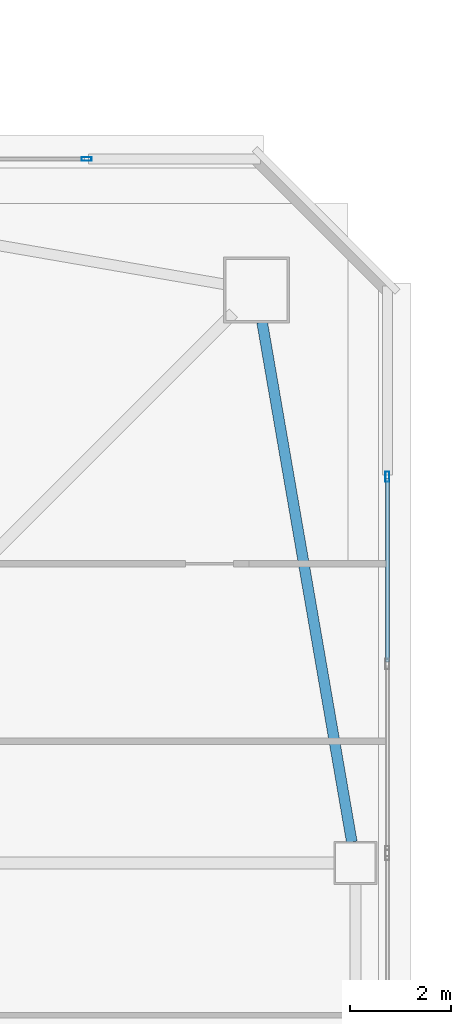
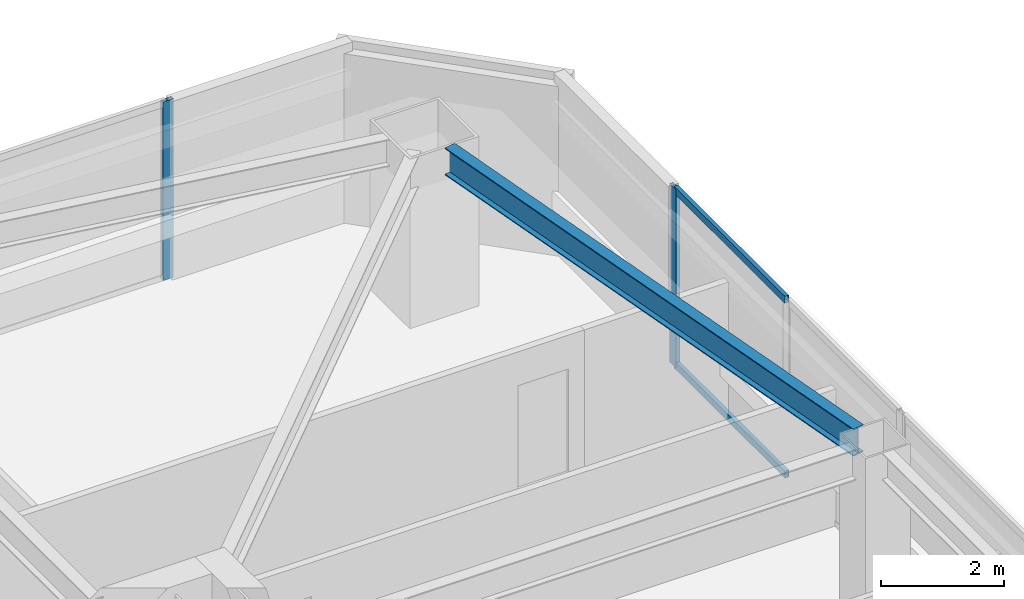
# One storey, part 16 of 44: 4 members, 1 beam, 2 elements without a shape of their own.
"""IFC4 building model written with IfcOpenShell, lengths in metres."""

from ifc_helpers import new_model, si_unit, direction, frame, origin, origin_2d, place, context, subcontext, project, spatial, hollow_rectangle, i_section, extrude, material, material_profile, profile_set, type_object, element, aggregate, save


model = new_model("IFC4")

# Units and contexts
model_context = context("Model", 3, precision=1e-05, world=origin(), true_north=direction((0.0, 1.0)))
body_context = subcontext(model_context, "Body", "Model", "MODEL_VIEW")
ifc_project = project(units=[si_unit("LENGTHUNIT", "METRE"), si_unit("AREAUNIT", "SQUARE_METRE"), si_unit("VOLUMEUNIT", "CUBIC_METRE"), si_unit("PLANEANGLEUNIT", "RADIAN"), si_unit("MASSUNIT", "GRAM", prefix="KILO")], contexts=[model_context])

# Site, building, storey
site_placement = place(None, origin())
site = spatial("IfcSite", under=ifc_project, at=site_placement, CompositionType="ELEMENT")
building_placement = place(site_placement, origin())
building = spatial("IfcBuilding", under=site, at=building_placement, Name="Tashvorn Skyway Center", CompositionType="ELEMENT")
storey_placement = place(building_placement, frame((0.0, 0.0, 149.89990234375)))
storey = spatial("IfcBuildingStorey", under=building, at=storey_placement, Name="L40", CompositionType="ELEMENT", Elevation=149.89990234375)

# Beam
ifc_material_1 = material(Name="Steel ASTM A992 Grade 50", Category="steel")
ifc_material_profile_1 = material_profile(ifc_material_1, i_section(OverallWidth=0.2109375, OverallDepth=0.5390625, WebThickness=0.01171875, FlangeThickness=0.018798828125, at=origin_2d()), Name="W21X73")
ifc_profile_set_1 = profile_set([ifc_material_profile_1], Name="Steel ASTM A992 Grade 50")
beam_type = type_object("IfcBeamType", Name="BM-SPANDREL-W21X73", PredefinedType="SPANDREL", material=ifc_profile_set_1)
beam_placement = place(storey_placement, frame((60.57861328125, 37.81396484375, 3.1005859375), z_axis=(-0.170067250846, 0.985432458462, 0.0), x_axis=(-0.985432458462, -0.170067250846, 0.0)))
element("IfcBeam", 1, at=beam_placement, inside=storey, type_object=beam_type, Name="Tower 1 L40 Spandrel Beam 06", PredefinedType="SPANDREL", context=body_context, shape_type="SweptSolid", body=[
    extrude(i_section(OverallWidth=0.2109375, OverallDepth=0.5390625, WebThickness=0.01171875, FlangeThickness=0.018798828125, at=origin_2d()), origin(), (0.0, 0.0, 1.0), 10.402099609375),
])

# Curtain wall, member
ifc_material_2 = material(Name="Thermally broken bronze-anodized aluminium 6063-T6", Category="aluminium")
curtain_wall_type = type_object("IfcCurtainWallType", Name="CW-CW-Z3", PredefinedType="NOTDEFINED", material=ifc_material_2)
curtain_wall_1_placement = place(storey_placement, origin())
curtain_wall_1 = element("IfcCurtainWall", 2, at=curtain_wall_1_placement, inside=storey, type_object=curtain_wall_type, Name="Tower 1 L40 North Curtain Wall R Glazing Group 1", PredefinedType="NOTDEFINED")
ifc_material_profile_2 = material_profile(ifc_material_2, hollow_rectangle(XDim=0.074951171875, YDim=0.199951171875, WallThickness=0.00439453125, at=origin_2d()), Name="ALU-MULL-75x200")
ifc_profile_set_2 = profile_set([ifc_material_profile_2], Name="Thermally broken bronze-anodized aluminium 6063-T6")
member_type_1 = type_object("IfcMemberType", Name="CWM-CW-Z3", PredefinedType="MULLION", material=ifc_profile_set_2)
member_1_placement = place(storey_placement, frame((55.34912109375, 51.280029296875, 0.0), z_axis=(0.0, 0.0, 1.0), x_axis=(0.0, 1.0, 0.0)))
member_1 = element("IfcMember", 3, at=member_1_placement, type_object=member_type_1, Name="CW-Z3 mullion 3", PredefinedType="MULLION", context=body_context, shape_type="SweptSolid", body=[
    extrude(hollow_rectangle(XDim=0.074951171875, YDim=0.199951171875, WallThickness=0.00439453125, at=origin_2d()), origin(), (0.0, 0.0, 1.0), 3.550048828125),
])
aggregate(curtain_wall_1, [member_1])

# Curtain wall, members
curtain_wall_2_placement = place(storey_placement, origin())
curtain_wall_2 = element("IfcCurtainWall", 4, at=curtain_wall_2_placement, inside=storey, type_object=curtain_wall_type, Name="Tower 1 L40 East Unitised Curtain Wall Glazing Group 1", PredefinedType="NOTDEFINED")
member_2_placement = place(storey_placement, frame((61.280029296875, 45.013671875, 0.0), z_axis=(0.0, 0.0, 1.0), x_axis=(1.0, 0.0, 0.0)))
member_2 = element("IfcMember", 5, at=member_2_placement, type_object=member_type_1, Name="CW-Z3 mullion 1", PredefinedType="MULLION", context=body_context, shape_type="SweptSolid", body=[
    extrude(hollow_rectangle(XDim=0.074951171875, YDim=0.199951171875, WallThickness=0.00439453125, at=origin_2d()), origin(), (0.0, 0.0, 1.0), 3.550048828125),
])
ifc_material_profile_3 = material_profile(ifc_material_2, hollow_rectangle(XDim=0.074951171875, YDim=0.139892578125, WallThickness=0.004150390625, at=origin_2d()), Name="ALU-TRAN-75x140")
ifc_profile_set_3 = profile_set([ifc_material_profile_3], Name="Thermally broken bronze-anodized aluminium 6063-T6")
member_type_2 = type_object("IfcMemberType", Name="CWT-CW-Z3", PredefinedType="USERDEFINED", material=ifc_profile_set_3)
member_3_placement = place(storey_placement, frame((61.280029296875, 44.97607421875, 0.03759765625), z_axis=(0.0, -1.0, 0.0), x_axis=(1.0, 0.0, 0.0)))
member_3 = element("IfcMember", 6, at=member_3_placement, type_object=member_type_2, Name="CW-Z3 transom 1.1", ObjectType="TRANSOM", PredefinedType="USERDEFINED", context=body_context, shape_type="SweptSolid", body=[
    extrude(hollow_rectangle(XDim=0.074951171875, YDim=0.139892578125, WallThickness=0.004150390625, at=origin_2d()), origin(), (0.0, 0.0, 1.0), 3.616455078125),
])
member_4_placement = place(storey_placement, frame((61.280029296875, 44.97607421875, 3.5126953125), z_axis=(0.0, -1.0, 0.0), x_axis=(1.0, 0.0, 0.0)))
member_4 = element("IfcMember", 7, at=member_4_placement, type_object=member_type_2, Name="CW-Z3 transom 1.2", ObjectType="TRANSOM", PredefinedType="USERDEFINED", context=body_context, shape_type="SweptSolid", body=[
    extrude(hollow_rectangle(XDim=0.074951171875, YDim=0.139892578125, WallThickness=0.004150390625, at=origin_2d()), origin(), (0.0, 0.0, 1.0), 3.616455078125),
])
aggregate(curtain_wall_2, [member_2, member_3, member_4])

save(model, "model.ifc")
